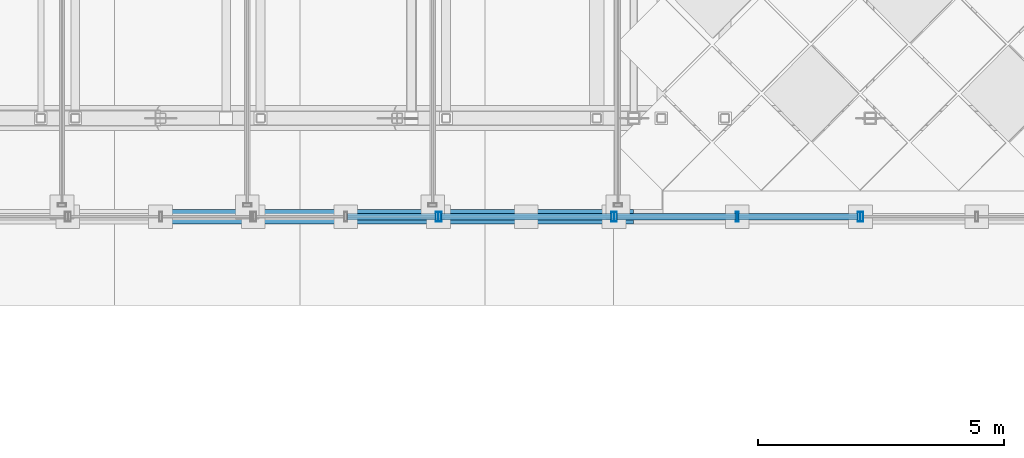
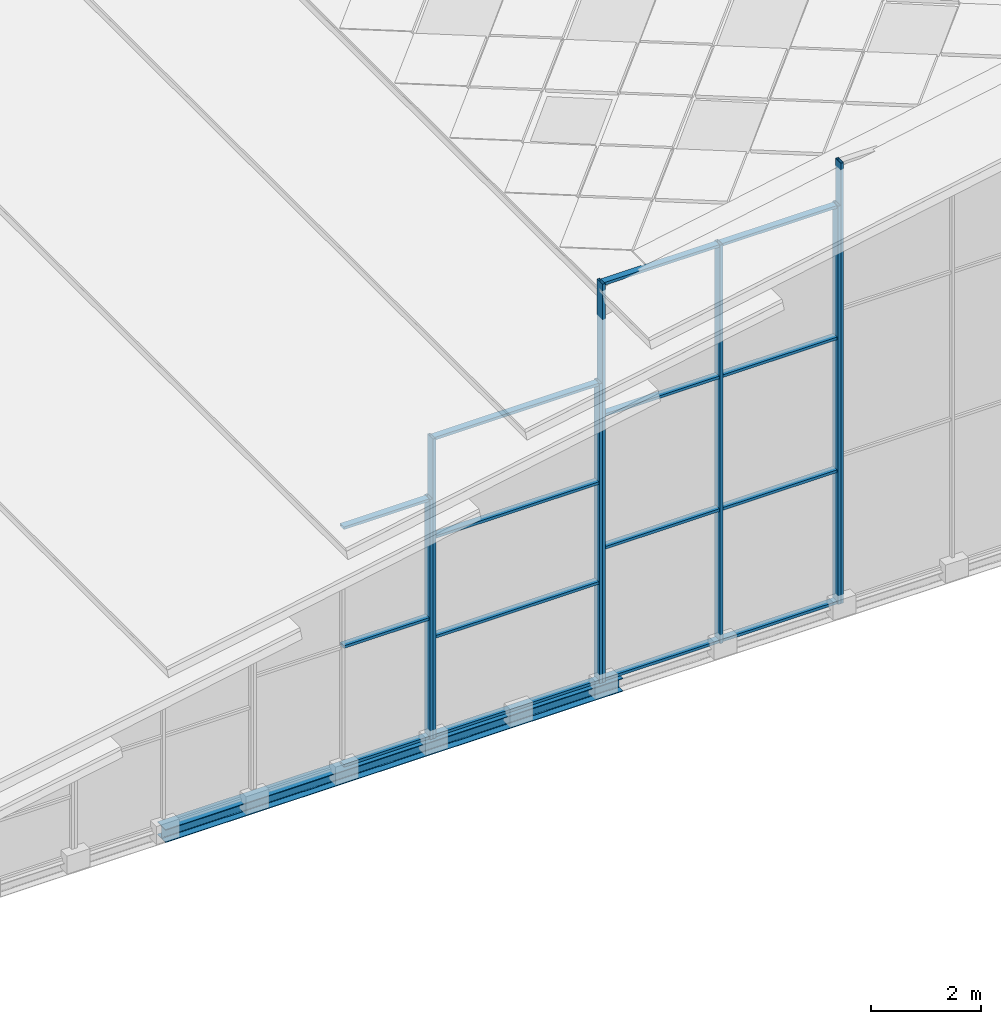
# One storey, part 2 of 117: 22 members, 1 beam, 4 elements without a shape of their own.
"""IFC4 building model written with IfcOpenShell, lengths in metres."""

from ifc_helpers import new_model, si_unit, direction, frame, origin, origin_2d, place, context, subcontext, project, spatial, hollow_rectangle, i_section, extrude, material, material_profile, profile_set, type_object, element, aggregate, save


model = new_model("IFC4")

# Units and contexts
model_context = context("Model", 3, precision=1e-05, world=origin(), true_north=direction((0.0, 1.0)))
body_context = subcontext(model_context, "Body", "Model", "MODEL_VIEW")
ifc_project = project(units=[si_unit("LENGTHUNIT", "METRE"), si_unit("AREAUNIT", "SQUARE_METRE"), si_unit("VOLUMEUNIT", "CUBIC_METRE"), si_unit("PLANEANGLEUNIT", "RADIAN"), si_unit("MASSUNIT", "GRAM", prefix="KILO")], contexts=[model_context])

# Site, building, storey
site_placement = place(None, origin())
site = spatial("IfcSite", under=ifc_project, at=site_placement, CompositionType="ELEMENT")
building_placement = place(site_placement, origin())
building = spatial("IfcBuilding", under=site, at=building_placement, Name="Merenkruunu Market Hall", CompositionType="ELEMENT")
storey_placement = place(building_placement, frame((0.0, 0.0, 22.800048828125)))
storey = spatial("IfcBuildingStorey", under=building, at=storey_placement, Name="RF", CompositionType="ELEMENT", Elevation=22.800048828125)

# Curtain wall, member
ifc_material_1 = material(Name="Powder-coated aluminium", Category="aluminium")
curtain_wall_type_1 = type_object("IfcCurtainWallType", Name="Glazed Curtain Wall CW17", PredefinedType="USERDEFINED", material=ifc_material_1)
curtain_wall_1_placement = place(storey_placement, origin())
curtain_wall_1 = element("IfcCurtainWall", 1, at=curtain_wall_1_placement, inside=storey, type_object=curtain_wall_type_1, Name="CW-RF-CWM03-040", ObjectType="GLAZED_FACADE", PredefinedType="USERDEFINED")
ifc_material_profile_1 = material_profile(ifc_material_1, hollow_rectangle(XDim=0.06005859375, YDim=0.199951171875, WallThickness=0.0048828125, at=origin_2d()), Name="ALU 60x200x5")
ifc_profile_set_1 = profile_set([ifc_material_profile_1], Name="Powder-coated aluminium")
member_type_1 = type_object("IfcMemberType", Name="Curtain Wall Mullion CWM03", PredefinedType="MULLION", material=ifc_profile_set_1)
member_1_placement = place(storey_placement, frame((15.2099609375, 15.60009765625, -8.68994140625), z_axis=(0.0, 0.0, 1.0), x_axis=(-1.0, 0.0, 0.0)))
member_1 = element("IfcMember", 2, at=member_1_placement, type_object=member_type_1, Name="CW17 mullion 1", PredefinedType="MULLION", context=body_context, shape_type="SweptSolid", body=[
    extrude(hollow_rectangle(XDim=0.06005859375, YDim=0.199951171875, WallThickness=0.0048828125, at=origin_2d()), origin(), (0.0, 0.0, 1.0), 5.329833984375),
])

# Curtain wall, members
curtain_wall_type_2 = type_object("IfcCurtainWallType", Name="Glazed Curtain Wall CW18", PredefinedType="USERDEFINED", material=ifc_material_1)
curtain_wall_2_placement = place(storey_placement, origin())
curtain_wall_2 = element("IfcCurtainWall", 3, at=curtain_wall_2_placement, inside=storey, type_object=curtain_wall_type_2, Name="CW-RF-CWM03-041", ObjectType="GLAZED_FACADE", PredefinedType="USERDEFINED")
member_2_placement = place(storey_placement, frame((18.77001953125, 15.60009765625, -8.68994140625), z_axis=(0.0, 0.0, 1.0), x_axis=(-1.0, 0.0, 0.0)))
member_2 = element("IfcMember", 4, at=member_2_placement, type_object=member_type_1, Name="CW18 mullion 1", PredefinedType="MULLION", context=body_context, shape_type="SweptSolid", body=[
    extrude(hollow_rectangle(XDim=0.06005859375, YDim=0.199951171875, WallThickness=0.0048828125, at=origin_2d()), origin(), (0.0, 0.0, 1.0), 6.64990234375),
])
member_3_placement = place(storey_placement, frame((15.27001953125, 15.60009765625, -8.68994140625), z_axis=(0.0, 0.0, 1.0), x_axis=(-1.0, 0.0, 0.0)))
member_3 = element("IfcMember", 5, at=member_3_placement, type_object=member_type_1, Name="CW18 mullion 2", PredefinedType="MULLION", context=body_context, shape_type="SweptSolid", body=[
    extrude(hollow_rectangle(XDim=0.06005859375, YDim=0.199951171875, WallThickness=0.0048828125, at=origin_2d()), origin(), (0.0, 0.0, 1.0), 6.64990234375),
])

curtain_wall_3_placement = place(storey_placement, origin())
curtain_wall_3 = element("IfcCurtainWall", 6, at=curtain_wall_3_placement, inside=storey, type_object=curtain_wall_type_2, Name="CW-RF-CWM03-042", ObjectType="GLAZED_FACADE", PredefinedType="USERDEFINED")
member_4_placement = place(storey_placement, frame((23.77001953125, 15.60009765625, -8.68994140625), z_axis=(0.0, 0.0, 1.0), x_axis=(-1.0, 0.0, 0.0)))
member_4 = element("IfcMember", 7, at=member_4_placement, type_object=member_type_1, Name="CW18 mullion 1", PredefinedType="MULLION", context=body_context, shape_type="SweptSolid", body=[
    extrude(hollow_rectangle(XDim=0.06005859375, YDim=0.199951171875, WallThickness=0.0048828125, at=origin_2d()), origin(), (0.0, 0.0, 1.0), 8.83984375),
])
member_5_placement = place(storey_placement, frame((21.300048828125, 15.60009765625, -8.68994140625), z_axis=(0.0, 0.0, 1.0), x_axis=(-1.0, 0.0, 0.0)))
member_5 = element("IfcMember", 8, at=member_5_placement, type_object=member_type_1, Name="CW18 mullion 2", PredefinedType="MULLION", context=body_context, shape_type="SweptSolid", body=[
    extrude(hollow_rectangle(XDim=0.06005859375, YDim=0.199951171875, WallThickness=0.0048828125, at=origin_2d()), origin(), (0.0, 0.0, 1.0), 8.83984375),
])
member_6_placement = place(storey_placement, frame((18.830078125, 15.60009765625, -8.68994140625), z_axis=(0.0, 0.0, 1.0), x_axis=(-1.0, 0.0, 0.0)))
member_6 = element("IfcMember", 9, at=member_6_placement, type_object=member_type_1, Name="CW18 mullion 3", PredefinedType="MULLION", context=body_context, shape_type="SweptSolid", body=[
    extrude(hollow_rectangle(XDim=0.06005859375, YDim=0.199951171875, WallThickness=0.0048828125, at=origin_2d()), origin(), (0.0, 0.0, 1.0), 8.83984375),
])

# Curtain wall, member
curtain_wall_4_placement = place(storey_placement, origin())
curtain_wall_4 = element("IfcCurtainWall", 10, at=curtain_wall_4_placement, inside=storey, type_object=curtain_wall_type_2, Name="CW-RF-CWM03-043", ObjectType="GLAZED_FACADE", PredefinedType="USERDEFINED")
member_7_placement = place(storey_placement, frame((23.830078125, 15.60009765625, -8.68994140625), z_axis=(0.0, 0.0, 1.0), x_axis=(-1.0, 0.0, 0.0)))
member_7 = element("IfcMember", 11, at=member_7_placement, type_object=member_type_1, Name="CW18 mullion 3", PredefinedType="MULLION", context=body_context, shape_type="SweptSolid", body=[
    extrude(hollow_rectangle(XDim=0.06005859375, YDim=0.199951171875, WallThickness=0.0048828125, at=origin_2d()), origin(), (0.0, 0.0, 1.0), 9.769775390625),
])
aggregate(curtain_wall_4, [member_7])

# Member
ifc_material_profile_2 = material_profile(ifc_material_1, hollow_rectangle(XDim=0.06005859375, YDim=0.139892578125, WallThickness=0.00390625, at=origin_2d()), Name="ALU 60x140x4")
ifc_profile_set_2 = profile_set([ifc_material_profile_2], Name="Powder-coated aluminium")
member_type_2 = type_object("IfcMemberType", Name="Curtain Wall Transom CWT02", PredefinedType="USERDEFINED", material=ifc_profile_set_2)
member_8_placement = place(storey_placement, frame((15.179931640625, 15.60009765625, -8.66015625), z_axis=(-1.0, 0.0, 0.0), x_axis=(0.0, 0.0, 1.0)))
member_8 = element("IfcMember", 12, at=member_8_placement, type_object=member_type_2, Name="CW17 transom 1.1", ObjectType="TRANSOM", PredefinedType="USERDEFINED", context=body_context, shape_type="SweptSolid", body=[
    extrude(hollow_rectangle(XDim=0.06005859375, YDim=0.139892578125, WallThickness=0.00390625, at=origin_2d()), origin(), (0.0, 0.0, 1.0), 1.7900390625),
])

member_9_placement = place(storey_placement, frame((15.179931640625, 15.60009765625, -6.025146484375), z_axis=(-1.0, 0.0, 0.0), x_axis=(0.0, 0.0, 1.0)))
member_9 = element("IfcMember", 13, at=member_9_placement, type_object=member_type_2, Name="CW17 transom 1.2", ObjectType="TRANSOM", PredefinedType="USERDEFINED", context=body_context, shape_type="SweptSolid", body=[
    extrude(hollow_rectangle(XDim=0.06005859375, YDim=0.139892578125, WallThickness=0.00390625, at=origin_2d()), origin(), (0.0, 0.0, 1.0), 1.7900390625),
])

member_10_placement = place(storey_placement, frame((15.179931640625, 15.60009765625, -3.39013671875), z_axis=(-1.0, 0.0, 0.0), x_axis=(0.0, 0.0, 1.0)))
member_10 = element("IfcMember", 14, at=member_10_placement, type_object=member_type_2, Name="CW17 transom 1.3", ObjectType="TRANSOM", PredefinedType="USERDEFINED", context=body_context, shape_type="SweptSolid", body=[
    extrude(hollow_rectangle(XDim=0.06005859375, YDim=0.139892578125, WallThickness=0.00390625, at=origin_2d()), origin(), (0.0, 0.0, 1.0), 1.7900390625),
])

aggregate(curtain_wall_1, [member_1, member_8, member_9, member_10])

member_11_placement = place(storey_placement, frame((18.739990234375, 15.60009765625, -8.66015625), z_axis=(-1.0, 0.0, 0.0), x_axis=(0.0, 0.0, 1.0)))
member_11 = element("IfcMember", 15, at=member_11_placement, type_object=member_type_2, Name="CW18 transom 1.1", ObjectType="TRANSOM", PredefinedType="USERDEFINED", context=body_context, shape_type="SweptSolid", body=[
    extrude(hollow_rectangle(XDim=0.06005859375, YDim=0.139892578125, WallThickness=0.00390625, at=origin_2d()), origin(), (0.0, 0.0, 1.0), 3.43994140625),
])

member_12_placement = place(storey_placement, frame((18.739990234375, 15.60009765625, -6.47314453125), z_axis=(-1.0, 0.0, 0.0), x_axis=(0.0, 0.0, 1.0)))
member_12 = element("IfcMember", 16, at=member_12_placement, type_object=member_type_2, Name="CW18 transom 1.2", ObjectType="TRANSOM", PredefinedType="USERDEFINED", context=body_context, shape_type="SweptSolid", body=[
    extrude(hollow_rectangle(XDim=0.06005859375, YDim=0.139892578125, WallThickness=0.00390625, at=origin_2d()), origin(), (0.0, 0.0, 1.0), 3.43994140625),
])

member_13_placement = place(storey_placement, frame((18.739990234375, 15.60009765625, -4.257080078125), z_axis=(-1.0, 0.0, 0.0), x_axis=(0.0, 0.0, 1.0)))
member_13 = element("IfcMember", 17, at=member_13_placement, type_object=member_type_2, Name="CW18 transom 1.3", ObjectType="TRANSOM", PredefinedType="USERDEFINED", context=body_context, shape_type="SweptSolid", body=[
    extrude(hollow_rectangle(XDim=0.06005859375, YDim=0.139892578125, WallThickness=0.00390625, at=origin_2d()), origin(), (0.0, 0.0, 1.0), 3.43994140625),
])

member_14_placement = place(storey_placement, frame((18.739990234375, 15.60009765625, -2.070068359375), z_axis=(-1.0, 0.0, 0.0), x_axis=(0.0, 0.0, 1.0)))
member_14 = element("IfcMember", 18, at=member_14_placement, type_object=member_type_2, Name="CW18 transom 1.4", ObjectType="TRANSOM", PredefinedType="USERDEFINED", context=body_context, shape_type="SweptSolid", body=[
    extrude(hollow_rectangle(XDim=0.06005859375, YDim=0.139892578125, WallThickness=0.00390625, at=origin_2d()), origin(), (0.0, 0.0, 1.0), 3.43994140625),
])

aggregate(curtain_wall_2, [member_2, member_3, member_11, member_12, member_13, member_14])

member_15_placement = place(storey_placement, frame((23.739990234375, 15.60009765625, -8.66015625), z_axis=(-1.0, 0.0, 0.0), x_axis=(0.0, 0.0, 1.0)))
member_15 = element("IfcMember", 19, at=member_15_placement, type_object=member_type_2, Name="CW18 transom 1.1", ObjectType="TRANSOM", PredefinedType="USERDEFINED", context=body_context, shape_type="SweptSolid", body=[
    extrude(hollow_rectangle(XDim=0.06005859375, YDim=0.139892578125, WallThickness=0.00390625, at=origin_2d()), origin(), (0.0, 0.0, 1.0), 2.409912109375),
])

member_16_placement = place(storey_placement, frame((23.739990234375, 15.60009765625, -5.7431640625), z_axis=(-1.0, 0.0, 0.0), x_axis=(0.0, 0.0, 1.0)))
member_16 = element("IfcMember", 20, at=member_16_placement, type_object=member_type_2, Name="CW18 transom 1.2", ObjectType="TRANSOM", PredefinedType="USERDEFINED", context=body_context, shape_type="SweptSolid", body=[
    extrude(hollow_rectangle(XDim=0.06005859375, YDim=0.139892578125, WallThickness=0.00390625, at=origin_2d()), origin(), (0.0, 0.0, 1.0), 2.409912109375),
])

member_17_placement = place(storey_placement, frame((23.739990234375, 15.60009765625, -2.797119140625), z_axis=(-1.0, 0.0, 0.0), x_axis=(0.0, 0.0, 1.0)))
member_17 = element("IfcMember", 21, at=member_17_placement, type_object=member_type_2, Name="CW18 transom 1.3", ObjectType="TRANSOM", PredefinedType="USERDEFINED", context=body_context, shape_type="SweptSolid", body=[
    extrude(hollow_rectangle(XDim=0.06005859375, YDim=0.139892578125, WallThickness=0.00390625, at=origin_2d()), origin(), (0.0, 0.0, 1.0), 2.409912109375),
])

member_18_placement = place(storey_placement, frame((23.739990234375, 15.60009765625, 0.119873046875), z_axis=(-1.0, 0.0, 0.0), x_axis=(0.0, 0.0, 1.0)))
member_18 = element("IfcMember", 22, at=member_18_placement, type_object=member_type_2, Name="CW18 transom 1.4", ObjectType="TRANSOM", PredefinedType="USERDEFINED", context=body_context, shape_type="SweptSolid", body=[
    extrude(hollow_rectangle(XDim=0.06005859375, YDim=0.139892578125, WallThickness=0.00390625, at=origin_2d()), origin(), (0.0, 0.0, 1.0), 2.409912109375),
])

member_19_placement = place(storey_placement, frame((21.27001953125, 15.60009765625, -8.66015625), z_axis=(-1.0, 0.0, 0.0), x_axis=(0.0, 0.0, 1.0)))
member_19 = element("IfcMember", 23, at=member_19_placement, type_object=member_type_2, Name="CW18 transom 2.1", ObjectType="TRANSOM", PredefinedType="USERDEFINED", context=body_context, shape_type="SweptSolid", body=[
    extrude(hollow_rectangle(XDim=0.06005859375, YDim=0.139892578125, WallThickness=0.00390625, at=origin_2d()), origin(), (0.0, 0.0, 1.0), 2.409912109375),
])

member_20_placement = place(storey_placement, frame((21.27001953125, 15.60009765625, -5.7431640625), z_axis=(-1.0, 0.0, 0.0), x_axis=(0.0, 0.0, 1.0)))
member_20 = element("IfcMember", 24, at=member_20_placement, type_object=member_type_2, Name="CW18 transom 2.2", ObjectType="TRANSOM", PredefinedType="USERDEFINED", context=body_context, shape_type="SweptSolid", body=[
    extrude(hollow_rectangle(XDim=0.06005859375, YDim=0.139892578125, WallThickness=0.00390625, at=origin_2d()), origin(), (0.0, 0.0, 1.0), 2.409912109375),
])

member_21_placement = place(storey_placement, frame((21.27001953125, 15.60009765625, -2.797119140625), z_axis=(-1.0, 0.0, 0.0), x_axis=(0.0, 0.0, 1.0)))
member_21 = element("IfcMember", 25, at=member_21_placement, type_object=member_type_2, Name="CW18 transom 2.3", ObjectType="TRANSOM", PredefinedType="USERDEFINED", context=body_context, shape_type="SweptSolid", body=[
    extrude(hollow_rectangle(XDim=0.06005859375, YDim=0.139892578125, WallThickness=0.00390625, at=origin_2d()), origin(), (0.0, 0.0, 1.0), 2.409912109375),
])

member_22_placement = place(storey_placement, frame((21.27001953125, 15.60009765625, 0.119873046875), z_axis=(-1.0, 0.0, 0.0), x_axis=(0.0, 0.0, 1.0)))
member_22 = element("IfcMember", 26, at=member_22_placement, type_object=member_type_2, Name="CW18 transom 2.4", ObjectType="TRANSOM", PredefinedType="USERDEFINED", context=body_context, shape_type="SweptSolid", body=[
    extrude(hollow_rectangle(XDim=0.06005859375, YDim=0.139892578125, WallThickness=0.00390625, at=origin_2d()), origin(), (0.0, 0.0, 1.0), 2.409912109375),
])

aggregate(curtain_wall_3, [member_4, member_5, member_6, member_15, member_16, member_17, member_18, member_19, member_20, member_21, member_22])

# Beam
ifc_material_2 = material(Name="Steel S355J2", Category="steel")
ifc_material_profile_3 = material_profile(ifc_material_2, i_section(OverallWidth=0.300048828125, OverallDepth=0.2900390625, WebThickness=0.008544921875, FlangeThickness=0.013916015625, FilletRadius=0.027099609375, at=origin_2d()), Name="HEA 300")
ifc_profile_set_3 = profile_set([ifc_material_profile_3], Name="Steel S355J2")
beam_type = type_object("IfcBeamType", Name="Primary Floor Girder B09", PredefinedType="BEAM", material=ifc_profile_set_3)
beam_placement = place(storey_placement, frame((9.60009765625, 15.60009765625, -8.844970703125), z_axis=(1.0, 0.0, 0.0), x_axis=(0.0, 1.0, 0.0)))
element("IfcBeam", 27, at=beam_placement, inside=storey, type_object=beam_type, Name="BM-RF-B09-1244", PredefinedType="BEAM", context=body_context, shape_type="SweptSolid", body=[
    extrude(i_section(OverallWidth=0.300048828125, OverallDepth=0.2900390625, WebThickness=0.008544921875, FlangeThickness=0.013916015625, FilletRadius=0.027099609375, at=origin_2d()), origin(), (0.0, 0.0, 1.0), 9.599853515625),
])

save(model, "model.ifc")
